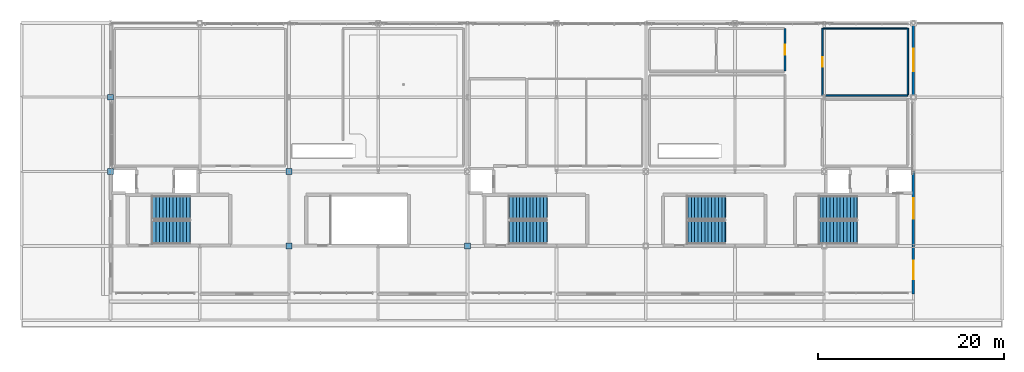
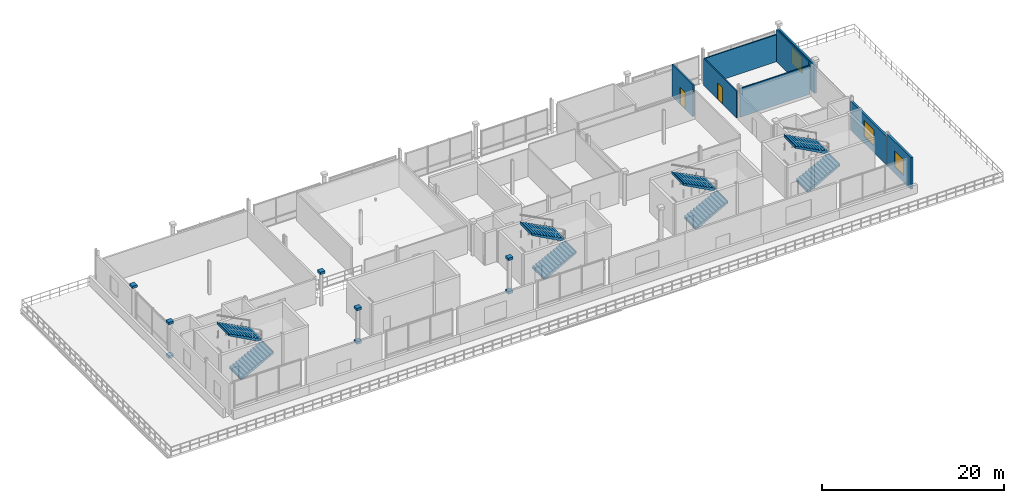
# One storey, part 18 of 26: 8 discrete accessories, 8 stair flights, 8 walls, 3 windows, 2 doors, 5 openings, 4 elements without a shape of their own.
"""IFC4 building model written with IfcOpenShell, lengths in metres."""

from ifc_helpers import new_model, si_unit, direction, frame, frame_2d, origin, origin_2d, place, context, subcontext, project, spatial, polyline, rectangle, outline, extrude, material, layer, layer_set, type_object, element, fill, aggregate, save


model = new_model("IFC4")

# Units and contexts
model_context = context("Model", 3, precision=1e-05, world=origin(), true_north=direction((0.0, 1.0)))
body_context = subcontext(model_context, "Body", "Model", "MODEL_VIEW")
ifc_project = project(units=[si_unit("LENGTHUNIT", "METRE"), si_unit("AREAUNIT", "SQUARE_METRE"), si_unit("VOLUMEUNIT", "CUBIC_METRE"), si_unit("PLANEANGLEUNIT", "RADIAN"), si_unit("MASSUNIT", "GRAM", prefix="KILO")], contexts=[model_context])

# Site, building, storey
site_placement = place(None, origin())
site = spatial("IfcSite", under=ifc_project, at=site_placement, CompositionType="ELEMENT")
building_placement = place(site_placement, origin())
building = spatial("IfcBuilding", under=site, at=building_placement, Name="Danafjord Basin Convention Centre", CompositionType="ELEMENT")
storey_placement = place(building_placement, frame((0.0, 0.0, 24.89990234375)))
storey = spatial("IfcBuildingStorey", under=building, at=storey_placement, Name="L05", CompositionType="ELEMENT", Elevation=24.89990234375)

# Wall, opening, window
ifc_material_1 = material(Name="Concrete C35/45", Category="concrete")
ifc_layer_1 = layer(ifc_material_1, 0.260009765625)
ifc_layer_set_1 = layer_set([ifc_layer_1], Name="Concrete C35/45")
wall_type_1 = type_object("IfcWallType", Name="WALL-EW-STD260", PredefinedType="STANDARD", material=ifc_layer_set_1)
wall_1_placement = place(storey_placement, frame((96.0, 10.800048828125, 0.0), z_axis=(0.0, 0.0, 1.0), x_axis=(0.0, 1.0, 0.0)))
wall_1 = element("IfcWall", 1, at=wall_1_placement, inside=storey, type_object=wall_type_1, Name="L05 E wing facade wall", PredefinedType="STANDARD", context=body_context, shape_type="SweptSolid", body=[
    extrude(rectangle(XDim=5.199951171875, YDim=0.260009765625, at=frame_2d((2.60009765625, 0.0))), origin(), (0.0, 0.0, 1.0), 4.260009765625),
])
opening_1_placement = place(wall_1_placement, frame((1.60009765625, 0.0, 0.89990234375)))
opening_1 = element("IfcOpeningElement", 2, at=opening_1_placement, cuts=wall_1, Name="Opening WN-05", PredefinedType="OPENING", context=body_context, shape_type="SweptSolid", body=[
    extrude(rectangle(XDim=2.0, YDim=2.10009765625, at=frame_2d((1.0, 1.050048828125))), frame((0.0, 0.139892578125, 0.0), z_axis=(0.0, -1.0, 0.0), x_axis=(1.0, 0.0, 0.0)), (0.0, 0.0, 1.0), 0.280029296875),
])
ifc_material_2 = material(Name="Thermally broken aluminium and triple low-E glass", Category="aluminium")
window_type_1 = type_object("IfcWindowType", Name="WIN-WN-05", PartitioningType="SINGLE_PANEL", PredefinedType="WINDOW", material=ifc_material_2)
window_1_placement = place(opening_1_placement, origin())
window_1 = element("IfcWindow", 3, at=window_1_placement, inside=storey, type_object=window_type_1, Name="L05 E window WN-05", OverallHeight=2.10009765625, OverallWidth=2.0, PartitioningType="SINGLE_PANEL", PredefinedType="WINDOW", context=body_context, shape_type="SweptSolid", body=[
    extrude(rectangle(XDim=2.0, YDim=2.10009765625, at=frame_2d((1.0, 1.050048828125))), frame((0.0, 0.030029296875, 0.0), z_axis=(0.0, -1.0, 0.0), x_axis=(1.0, 0.0, 0.0)), (0.0, 0.0, 1.0), 0.06005859375),
])
fill(opening_1, window_1)

wall_2_placement = place(storey_placement, frame((96.0, 16.0, 0.0), z_axis=(0.0, 0.0, 1.0), x_axis=(0.0, 1.0, 0.0)))
wall_2 = element("IfcWall", 4, at=wall_2_placement, inside=storey, type_object=wall_type_1, Name="L05 E wing facade wall", PredefinedType="STANDARD", context=body_context, shape_type="SweptSolid", body=[
    extrude(rectangle(XDim=8.0, YDim=0.260009765625, at=frame_2d((4.0, 0.0))), origin(), (0.0, 0.0, 1.0), 3.840087890625),
])
opening_2_placement = place(wall_2_placement, frame((2.89990234375, 0.0, 0.89990234375)))
opening_2 = element("IfcOpeningElement", 5, at=opening_2_placement, cuts=wall_2, Name="Opening WN-06", PredefinedType="OPENING", context=body_context, shape_type="SweptSolid", body=[
    extrude(rectangle(XDim=2.199951171875, YDim=2.14990234375, at=frame_2d((1.10009765625, 1.074951171875))), frame((0.0, 0.139892578125, 0.0), z_axis=(0.0, -1.0, 0.0), x_axis=(1.0, 0.0, 0.0)), (0.0, 0.0, 1.0), 0.280029296875),
])
window_type_2 = type_object("IfcWindowType", Name="WIN-WN-06", PartitioningType="SINGLE_PANEL", PredefinedType="WINDOW", material=ifc_material_2)
window_2_placement = place(opening_2_placement, origin())
window_2 = element("IfcWindow", 6, at=window_2_placement, inside=storey, type_object=window_type_2, Name="L05 E window WN-06", OverallHeight=2.14990234375, OverallWidth=2.199951171875, PartitioningType="SINGLE_PANEL", PredefinedType="WINDOW", context=body_context, shape_type="SweptSolid", body=[
    extrude(rectangle(XDim=2.199951171875, YDim=2.14990234375, at=frame_2d((1.10009765625, 1.074951171875))), frame((0.0, 0.030029296875, 0.0), z_axis=(0.0, -1.0, 0.0), x_axis=(1.0, 0.0, 0.0)), (0.0, 0.0, 1.0), 0.06005859375),
])
fill(opening_2, window_2)

wall_3_placement = place(storey_placement, frame((96.0, 32.0, 0.0), z_axis=(0.0, 0.0, 1.0), x_axis=(0.0, 1.0, 0.0)))
wall_3 = element("IfcWall", 7, at=wall_3_placement, inside=storey, type_object=wall_type_1, Name="L05 E wing facade wall", PredefinedType="STANDARD", context=body_context, shape_type="SweptSolid", body=[
    extrude(rectangle(XDim=8.0, YDim=0.260009765625, at=frame_2d((4.0, 0.0))), origin(), (0.0, 0.0, 1.0), 3.830078125),
])
opening_3_placement = place(wall_3_placement, frame((2.800048828125, 0.0, 0.89990234375)))
opening_3 = element("IfcOpeningElement", 8, at=opening_3_placement, cuts=wall_3, Name="Opening WN-07", PredefinedType="OPENING", context=body_context, shape_type="SweptSolid", body=[
    extrude(rectangle(XDim=2.39990234375, YDim=2.199951171875, at=frame_2d((1.199951171875, 1.10009765625))), frame((0.0, 0.139892578125, 0.0), z_axis=(0.0, -1.0, 0.0), x_axis=(1.0, 0.0, 0.0)), (0.0, 0.0, 1.0), 0.280029296875),
])
window_type_3 = type_object("IfcWindowType", Name="WIN-WN-07", PartitioningType="SINGLE_PANEL", PredefinedType="WINDOW", material=ifc_material_2)
window_3_placement = place(opening_3_placement, origin())
window_3 = element("IfcWindow", 9, at=window_3_placement, inside=storey, type_object=window_type_3, Name="L05 E window WN-07", OverallHeight=2.199951171875, OverallWidth=2.39990234375, PartitioningType="SINGLE_PANEL", PredefinedType="WINDOW", context=body_context, shape_type="SweptSolid", body=[
    extrude(rectangle(XDim=2.39990234375, YDim=2.199951171875, at=frame_2d((1.199951171875, 1.10009765625))), frame((0.0, 0.030029296875, 0.0), z_axis=(0.0, -1.0, 0.0), x_axis=(1.0, 0.0, 0.0)), (0.0, 0.0, 1.0), 0.06005859375),
])
fill(opening_3, window_3)

# Wall, opening, door
ifc_material_3 = material(Name="Fire-rated gypsum metal-stud partition")
ifc_layer_2 = layer(ifc_material_3, 0.14990234375)
ifc_layer_set_2 = layer_set([ifc_layer_2], Name="Fire-rated gypsum metal-stud partition")
wall_type_2 = type_object("IfcWallType", Name="WALL-PT-ST150", PredefinedType="PARTITIONING", material=ifc_layer_set_2)
wall_4_placement = place(storey_placement, frame((86.199951171875, 39.39990234375, 0.0), z_axis=(0.0, 0.0, 1.0), x_axis=(0.0, -1.0, 0.0)))
wall_4 = element("IfcWall", 10, at=wall_4_placement, inside=storey, type_object=wall_type_2, Name="Presidency Press and Organiser Office west partition", PredefinedType="PARTITIONING", context=body_context, shape_type="SweptSolid", body=[
    extrude(rectangle(XDim=7.199951171875, YDim=0.14990234375, at=frame_2d((3.60009765625, 0.0))), origin(), (0.0, 0.0, 1.0), 3.630126953125),
])
opening_4_placement = place(wall_4_placement, frame((3.080078125, 0.0, 0.0)))
opening_4 = element("IfcOpeningElement", 11, at=opening_4_placement, cuts=wall_4, Name="Opening FD-S13", PredefinedType="OPENING", context=body_context, shape_type="SweptSolid", body=[
    extrude(rectangle(XDim=1.0400390625, YDim=2.239990234375, at=frame_2d((0.52001953125, 1.1201171875))), frame((0.0, 0.0849609375, 0.0), z_axis=(0.0, -1.0, 0.0), x_axis=(1.0, 0.0, 0.0)), (0.0, 0.0, 1.0), 0.169921875),
])
ifc_material_4 = material(Name="Powder-coated steel and Nordic oak", Category="steel")
door_type_1 = type_object("IfcDoorType", Name="DOOR-FD-S13", OperationType="NOTDEFINED", PredefinedType="DOOR", material=ifc_material_4)
door_1_placement = place(opening_4_placement, origin())
door_1 = element("IfcDoor", 12, at=door_1_placement, inside=storey, type_object=door_type_1, Name="Presidency Press and Organiser Office Entrance Door", OperationType="SINGLE_SWING_RIGHT", OverallHeight=2.239990234375, OverallWidth=1.0400390625, PredefinedType="DOOR", context=body_context, shape_type="SweptSolid", body=[
    extrude(rectangle(XDim=1.0400390625, YDim=2.239990234375, at=frame_2d((0.52001953125, 1.1201171875))), frame((0.0, 0.02490234375, 0.0), z_axis=(0.0, -1.0, 0.0), x_axis=(1.0, 0.0, 0.0)), (0.0, 0.0, 1.0), 0.050048828125),
])
fill(opening_4, door_1)

# Walls
wall_5_placement = place(storey_placement, frame((86.55908203125, 32.199951171875, 0.0), z_axis=(0.0, 0.0, 1.0), x_axis=(1.0, 0.0, 0.0)))
element("IfcWall", 13, at=wall_5_placement, inside=storey, type_object=wall_type_2, Name="Presidency Press and Organiser Office south partition", PredefinedType="PARTITIONING", context=body_context, shape_type="SweptSolid", body=[
    extrude(rectangle(XDim=8.8408203125, YDim=0.14990234375, at=frame_2d((4.42041015625, 0.0))), origin(), (0.0, 0.0, 1.0), 3.840087890625),
])
wall_6_placement = place(storey_placement, frame((95.39990234375, 32.279052734375, 0.0), z_axis=(0.0, 0.0, 1.0), x_axis=(0.0, 1.0, 0.0)))
element("IfcWall", 14, at=wall_6_placement, inside=storey, type_object=wall_type_2, Name="Presidency Press and Organiser Office east partition", PredefinedType="PARTITIONING", context=body_context, shape_type="SweptSolid", body=[
    extrude(rectangle(XDim=7.120849609375, YDim=0.14990234375, at=frame_2d((3.560546875, 0.0))), origin(), (0.0, 0.0, 1.0), 4.260009765625),
])
wall_7_placement = place(storey_placement, frame((95.321044921875, 39.39990234375, 0.0), z_axis=(0.0, 0.0, 1.0), x_axis=(-1.0, 0.0, 0.0)))
element("IfcWall", 15, at=wall_7_placement, inside=storey, type_object=wall_type_2, Name="Presidency Press and Organiser Office north partition", PredefinedType="PARTITIONING", context=body_context, shape_type="SweptSolid", body=[
    extrude(rectangle(XDim=9.0419921875, YDim=0.14990234375, at=frame_2d((4.52099609375, 0.0))), origin(), (0.0, 0.0, 1.0), 3.630126953125),
])

# Wall, opening, door
ifc_layer_3 = layer(ifc_material_1, 0.205078125)
ifc_layer_set_3 = layer_set([ifc_layer_3], Name="Concrete C35/45")
wall_type_3 = type_object("IfcWallType", Name="WALL-W-COMP205", PredefinedType="SOLIDWALL", material=ifc_layer_set_3)
wall_8_placement = place(storey_placement, frame((82.199951171875, 34.800048828125, 0.0), z_axis=(0.0, 0.0, 1.0), x_axis=(0.0, 1.0, 0.0)))
wall_8 = element("IfcWall", 16, at=wall_8_placement, inside=storey, type_object=wall_type_3, Name="Level 5 Heat-Recovery AHU Plant east partition", PredefinedType="SOLIDWALL", context=body_context, shape_type="SweptSolid", body=[
    extrude(rectangle(XDim=4.599853515625, YDim=0.205078125, at=frame_2d((2.2998046875, 0.0))), origin(), (0.0, 0.0, 1.0), 4.260009765625),
])
opening_5_placement = place(wall_8_placement, frame((1.75, 0.0, 0.0)))
opening_5 = element("IfcOpeningElement", 17, at=opening_5_placement, cuts=wall_8, Name="Opening FD-S15", PredefinedType="OPENING", context=body_context, shape_type="SweptSolid", body=[
    extrude(rectangle(XDim=1.10009765625, YDim=2.280029296875, at=frame_2d((0.550048828125, 1.14013671875))), frame((0.0, 0.112548828125, 0.0), z_axis=(0.0, -1.0, 0.0), x_axis=(1.0, 0.0, 0.0)), (0.0, 0.0, 1.0), 0.22509765625),
])
door_type_2 = type_object("IfcDoorType", Name="DOOR-FD-S15", OperationType="NOTDEFINED", PredefinedType="DOOR", material=ifc_material_4)
door_2_placement = place(opening_5_placement, origin())
door_2 = element("IfcDoor", 18, at=door_2_placement, inside=storey, type_object=door_type_2, Name="Level 5 Heat-Recovery AHU Plant Entrance Door", OperationType="SINGLE_SWING_RIGHT", OverallHeight=2.280029296875, OverallWidth=1.10009765625, PredefinedType="DOOR", context=body_context, shape_type="SweptSolid", body=[
    extrude(rectangle(XDim=1.10009765625, YDim=2.280029296875, at=frame_2d((0.550048828125, 1.14013671875))), frame((0.0, 0.02490234375, 0.0), z_axis=(0.0, -1.0, 0.0), x_axis=(1.0, 0.0, 0.0)), (0.0, 0.0, 1.0), 0.050048828125),
])
fill(opening_5, door_2)

# Stair, stair flights
ifc_material_5 = material(Name="Concrete C40/50", Category="concrete")
stair_type = type_object("IfcStairType", Name="STAIR-STR-C01", PredefinedType="TWO_STRAIGHT_RUN_STAIR", material=ifc_material_5)
stair_1_placement = place(storey_placement, origin())
stair_1 = element("IfcStair", 19, at=stair_1_placement, inside=storey, type_object=stair_type, Name="L05 West Harbour Core Stair 1", PredefinedType="HALF_TURN_STAIR")
ifc_material_6 = material(Name="Precast concrete C40/50", Category="concrete")
stair_flight_type = type_object("IfcStairFlightType", Name="SFLT-STD", PredefinedType="STRAIGHT", material=ifc_material_6)
stair_flight_1_placement = place(storey_placement, frame((14.1298828125, 17.4599609375, 0.0), z_axis=(0.0, 0.0, 1.0), x_axis=(1.0, 0.0, 0.0)))
stair_flight_1 = element("IfcStairFlight", 20, at=stair_flight_1_placement, type_object=stair_flight_type, Name="ST-01 flight 1", NumberOfRisers=12, NumberOfTreads=11, PredefinedType="STRAIGHT", RiserHeight=0.1875, TreadLength=0.365, context=body_context, shape_type="SweptSolid", body=[
    extrude(outline(polyline([(-0.06494140625, -0.14990234375), (-0.06494140625, -0.00390625), (0.0, -0.00390625), (0.0, 0.1875), (0.364990234375, 0.1875), (0.364990234375, 0.375), (0.72998046875, 0.375), (0.72998046875, 0.5625), (1.094970703125, 0.5625), (1.094970703125, 0.75), (1.4599609375, 0.75), (1.4599609375, 0.9375), (1.824951171875, 0.9375), (1.824951171875, 1.125), (2.18994140625, 1.125), (2.18994140625, 1.3125), (2.554931640625, 1.3125), (2.554931640625, 1.5), (2.919921875, 1.5), (2.919921875, 1.6875), (3.284912109375, 1.6875), (3.284912109375, 1.875), (3.64990234375, 1.875), (3.64990234375, 2.0625), (4.014892578125, 2.0625), (4.014892578125, 2.25), (4.080078125, 2.24609375), (4.080078125, 1.89404296875), (0.328125, -0.14990234375), (-0.06494140625, -0.14990234375)])), frame((0.0, 1.25, 0.0), z_axis=(0.0, -1.0, 0.0), x_axis=(1.0, 0.0, 0.0)), (0.0, 0.0, 1.0), 2.5),
])
stair_flight_2_placement = place(storey_placement, frame((18.14501953125, 20.10009765625, 2.25), z_axis=(0.0, 0.0, 1.0), x_axis=(-1.0, 0.0, 0.0)))
stair_flight_2 = element("IfcStairFlight", 21, at=stair_flight_2_placement, type_object=stair_flight_type, Name="ST-01 flight 2", NumberOfRisers=12, NumberOfTreads=11, PredefinedType="STRAIGHT", RiserHeight=0.1875, TreadLength=0.365, context=body_context, shape_type="SweptSolid", body=[
    extrude(outline(polyline([(-0.06494140625, -0.14990234375), (-0.06494140625, -0.00390625), (0.0, -0.00390625), (0.0, 0.1875), (0.364990234375, 0.1875), (0.364990234375, 0.375), (0.72998046875, 0.375), (0.72998046875, 0.5625), (1.094970703125, 0.5625), (1.094970703125, 0.75), (1.4599609375, 0.75), (1.4599609375, 0.9375), (1.824951171875, 0.9375), (1.824951171875, 1.125), (2.18994140625, 1.125), (2.18994140625, 1.3125), (2.554931640625, 1.3125), (2.554931640625, 1.5), (2.919921875, 1.5), (2.919921875, 1.6875), (3.284912109375, 1.6875), (3.284912109375, 1.875), (3.64990234375, 1.875), (3.64990234375, 2.0625), (4.014892578125, 2.0625), (4.014892578125, 2.25), (4.080078125, 2.24609375), (4.080078125, 1.89404296875), (0.328125, -0.14990234375), (-0.06494140625, -0.14990234375)])), frame((0.0, 1.25, 0.0), z_axis=(0.0, -1.0, 0.0), x_axis=(1.0, 0.0, 0.0)), (0.0, 0.0, 1.0), 2.5),
])
aggregate(stair_1, [stair_flight_1, stair_flight_2])

stair_2_placement = place(storey_placement, origin())
stair_2 = element("IfcStair", 22, at=stair_2_placement, inside=storey, type_object=stair_type, Name="L05 Central Harbour Core Stair 1", PredefinedType="HALF_TURN_STAIR")
stair_flight_3_placement = place(storey_placement, frame((85.929931640625, 17.4599609375, 0.0), z_axis=(0.0, 0.0, 1.0), x_axis=(1.0, 0.0, 0.0)))
stair_flight_3 = element("IfcStairFlight", 23, at=stair_flight_3_placement, type_object=stair_flight_type, Name="ST-03 flight 1", NumberOfRisers=12, NumberOfTreads=11, PredefinedType="STRAIGHT", RiserHeight=0.1875, TreadLength=0.365, context=body_context, shape_type="SweptSolid", body=[
    extrude(outline(polyline([(-0.06494140625, -0.14990234375), (-0.06494140625, -0.00390625), (0.0, -0.00390625), (0.0, 0.1875), (0.364990234375, 0.1875), (0.364990234375, 0.375), (0.72998046875, 0.375), (0.72998046875, 0.5625), (1.094970703125, 0.5625), (1.094970703125, 0.75), (1.4599609375, 0.75), (1.4599609375, 0.9375), (1.824951171875, 0.9375), (1.824951171875, 1.125), (2.18994140625, 1.125), (2.18994140625, 1.3125), (2.554931640625, 1.3125), (2.554931640625, 1.5), (2.919921875, 1.5), (2.919921875, 1.6875), (3.284912109375, 1.6875), (3.284912109375, 1.875), (3.64990234375, 1.875), (3.64990234375, 2.0625), (4.014892578125, 2.0625), (4.014892578125, 2.25), (4.080078125, 2.24609375), (4.080078125, 1.89404296875), (0.328125, -0.14990234375), (-0.06494140625, -0.14990234375)])), frame((0.0, 1.25, 0.0), z_axis=(0.0, -1.0, 0.0), x_axis=(1.0, 0.0, 0.0)), (0.0, 0.0, 1.0), 2.5),
])
stair_flight_4_placement = place(storey_placement, frame((89.945068359375, 20.10009765625, 2.25), z_axis=(0.0, 0.0, 1.0), x_axis=(-1.0, 0.0, 0.0)))
stair_flight_4 = element("IfcStairFlight", 24, at=stair_flight_4_placement, type_object=stair_flight_type, Name="ST-03 flight 2", NumberOfRisers=12, NumberOfTreads=11, PredefinedType="STRAIGHT", RiserHeight=0.1875, TreadLength=0.365, context=body_context, shape_type="SweptSolid", body=[
    extrude(outline(polyline([(-0.06494140625, -0.14990234375), (-0.06494140625, -0.00390625), (0.0, -0.00390625), (0.0, 0.1875), (0.364990234375, 0.1875), (0.364990234375, 0.375), (0.72998046875, 0.375), (0.72998046875, 0.5625), (1.094970703125, 0.5625), (1.094970703125, 0.75), (1.4599609375, 0.75), (1.4599609375, 0.9375), (1.824951171875, 0.9375), (1.824951171875, 1.125), (2.18994140625, 1.125), (2.18994140625, 1.3125), (2.554931640625, 1.3125), (2.554931640625, 1.5), (2.919921875, 1.5), (2.919921875, 1.6875), (3.284912109375, 1.6875), (3.284912109375, 1.875), (3.64990234375, 1.875), (3.64990234375, 2.0625), (4.014892578125, 2.0625), (4.014892578125, 2.25), (4.080078125, 2.24609375), (4.080078125, 1.89404296875), (0.328125, -0.14990234375), (-0.06494140625, -0.14990234375)])), frame((0.0, 1.25, 0.0), z_axis=(0.0, -1.0, 0.0), x_axis=(1.0, 0.0, 0.0)), (0.0, 0.0, 1.0), 2.5),
])
aggregate(stair_2, [stair_flight_3, stair_flight_4])

stair_3_placement = place(storey_placement, origin())
stair_3 = element("IfcStair", 25, at=stair_3_placement, inside=storey, type_object=stair_type, Name="L05 Mid-Arc Meeting Core Stair 1", PredefinedType="HALF_TURN_STAIR")
stair_flight_5_placement = place(storey_placement, frame((52.530029296875, 17.4599609375, 0.0), z_axis=(0.0, 0.0, 1.0), x_axis=(1.0, 0.0, 0.0)))
stair_flight_5 = element("IfcStairFlight", 26, at=stair_flight_5_placement, type_object=stair_flight_type, Name="ST-05 flight 1", NumberOfRisers=12, NumberOfTreads=11, PredefinedType="STRAIGHT", RiserHeight=0.1875, TreadLength=0.365, context=body_context, shape_type="SweptSolid", body=[
    extrude(outline(polyline([(-0.06494140625, -0.14990234375), (-0.06494140625, -0.00390625), (0.0, -0.00390625), (0.0, 0.1875), (0.364990234375, 0.1875), (0.364990234375, 0.375), (0.72998046875, 0.375), (0.72998046875, 0.5625), (1.094970703125, 0.5625), (1.094970703125, 0.75), (1.4599609375, 0.75), (1.4599609375, 0.9375), (1.824951171875, 0.9375), (1.824951171875, 1.125), (2.18994140625, 1.125), (2.18994140625, 1.3125), (2.554931640625, 1.3125), (2.554931640625, 1.5), (2.919921875, 1.5), (2.919921875, 1.6875), (3.284912109375, 1.6875), (3.284912109375, 1.875), (3.64990234375, 1.875), (3.64990234375, 2.0625), (4.014892578125, 2.0625), (4.014892578125, 2.25), (4.080078125, 2.24609375), (4.080078125, 1.89404296875), (0.328125, -0.14990234375), (-0.06494140625, -0.14990234375)])), frame((0.0, 1.25, 0.0), z_axis=(0.0, -1.0, 0.0), x_axis=(1.0, 0.0, 0.0)), (0.0, 0.0, 1.0), 2.5),
])
stair_flight_6_placement = place(storey_placement, frame((56.544921875, 20.10009765625, 2.25), z_axis=(0.0, 0.0, 1.0), x_axis=(-1.0, 0.0, 0.0)))
stair_flight_6 = element("IfcStairFlight", 27, at=stair_flight_6_placement, type_object=stair_flight_type, Name="ST-05 flight 2", NumberOfRisers=12, NumberOfTreads=11, PredefinedType="STRAIGHT", RiserHeight=0.1875, TreadLength=0.365, context=body_context, shape_type="SweptSolid", body=[
    extrude(outline(polyline([(-0.06494140625, -0.14990234375), (-0.06494140625, -0.00390625), (0.0, -0.00390625), (0.0, 0.1875), (0.364990234375, 0.1875), (0.364990234375, 0.375), (0.72998046875, 0.375), (0.72998046875, 0.5625), (1.094970703125, 0.5625), (1.094970703125, 0.75), (1.4599609375, 0.75), (1.4599609375, 0.9375), (1.824951171875, 0.9375), (1.824951171875, 1.125), (2.18994140625, 1.125), (2.18994140625, 1.3125), (2.554931640625, 1.3125), (2.554931640625, 1.5), (2.919921875, 1.5), (2.919921875, 1.6875), (3.284912109375, 1.6875), (3.284912109375, 1.875), (3.64990234375, 1.875), (3.64990234375, 2.0625), (4.014892578125, 2.0625), (4.014892578125, 2.25), (4.080078125, 2.24609375), (4.080078125, 1.89404296875), (0.328125, -0.14990234375), (-0.06494140625, -0.14990234375)])), frame((0.0, 1.25, 0.0), z_axis=(0.0, -1.0, 0.0), x_axis=(1.0, 0.0, 0.0)), (0.0, 0.0, 1.0), 2.5),
])
aggregate(stair_3, [stair_flight_5, stair_flight_6])

stair_4_placement = place(storey_placement, origin())
stair_4 = element("IfcStair", 28, at=stair_4_placement, inside=storey, type_object=stair_type, Name="L05 Mid-Arc Escape Stair 2", PredefinedType="HALF_TURN_STAIR")
stair_flight_7_placement = place(storey_placement, frame((71.72998046875, 17.4599609375, 0.0), z_axis=(0.0, 0.0, 1.0), x_axis=(1.0, 0.0, 0.0)))
stair_flight_7 = element("IfcStairFlight", 29, at=stair_flight_7_placement, type_object=stair_flight_type, Name="ST-06 flight 1", NumberOfRisers=12, NumberOfTreads=11, PredefinedType="STRAIGHT", RiserHeight=0.1875, TreadLength=0.365, context=body_context, shape_type="SweptSolid", body=[
    extrude(outline(polyline([(-0.06494140625, -0.14990234375), (-0.06494140625, -0.00390625), (0.0, -0.00390625), (0.0, 0.1875), (0.364990234375, 0.1875), (0.364990234375, 0.375), (0.72998046875, 0.375), (0.72998046875, 0.5625), (1.094970703125, 0.5625), (1.094970703125, 0.75), (1.4599609375, 0.75), (1.4599609375, 0.9375), (1.824951171875, 0.9375), (1.824951171875, 1.125), (2.18994140625, 1.125), (2.18994140625, 1.3125), (2.554931640625, 1.3125), (2.554931640625, 1.5), (2.919921875, 1.5), (2.919921875, 1.6875), (3.284912109375, 1.6875), (3.284912109375, 1.875), (3.64990234375, 1.875), (3.64990234375, 2.0625), (4.014892578125, 2.0625), (4.014892578125, 2.25), (4.080078125, 2.24609375), (4.080078125, 1.89404296875), (0.328125, -0.14990234375), (-0.06494140625, -0.14990234375)])), frame((0.0, 1.25, 0.0), z_axis=(0.0, -1.0, 0.0), x_axis=(1.0, 0.0, 0.0)), (0.0, 0.0, 1.0), 2.5),
])
stair_flight_8_placement = place(storey_placement, frame((75.7451171875, 20.10009765625, 2.25), z_axis=(0.0, 0.0, 1.0), x_axis=(-1.0, 0.0, 0.0)))
stair_flight_8 = element("IfcStairFlight", 30, at=stair_flight_8_placement, type_object=stair_flight_type, Name="ST-06 flight 2", NumberOfRisers=12, NumberOfTreads=11, PredefinedType="STRAIGHT", RiserHeight=0.1875, TreadLength=0.365, context=body_context, shape_type="SweptSolid", body=[
    extrude(outline(polyline([(-0.06494140625, -0.14990234375), (-0.06494140625, -0.00390625), (0.0, -0.00390625), (0.0, 0.1875), (0.364990234375, 0.1875), (0.364990234375, 0.375), (0.72998046875, 0.375), (0.72998046875, 0.5625), (1.094970703125, 0.5625), (1.094970703125, 0.75), (1.4599609375, 0.75), (1.4599609375, 0.9375), (1.824951171875, 0.9375), (1.824951171875, 1.125), (2.18994140625, 1.125), (2.18994140625, 1.3125), (2.554931640625, 1.3125), (2.554931640625, 1.5), (2.919921875, 1.5), (2.919921875, 1.6875), (3.284912109375, 1.6875), (3.284912109375, 1.875), (3.64990234375, 1.875), (3.64990234375, 2.0625), (4.014892578125, 2.0625), (4.014892578125, 2.25), (4.080078125, 2.24609375), (4.080078125, 1.89404296875), (0.328125, -0.14990234375), (-0.06494140625, -0.14990234375)])), frame((0.0, 1.25, 0.0), z_axis=(0.0, -1.0, 0.0), x_axis=(1.0, 0.0, 0.0)), (0.0, 0.0, 1.0), 2.5),
])
aggregate(stair_4, [stair_flight_7, stair_flight_8])

# Discrete accessories
ifc_material_7 = material(Name="Steel S355", Category="steel")
discrete_accessory_type = type_object("IfcDiscreteAccessoryType", Name="ACC-SF-HUB", PredefinedType="BRACKET", material=ifc_material_7)
for number, where, z_axis, x_axis, name in (
    (31, (9.60009765625, 24.0, -0.16015625), (0.0, 0.0, 1.0), (1.0, 0.0, 0.0), "Tubular steel column transition collar"),
    (32, (9.60009765625, 24.0, 4.33984375), (0.0, 0.0, 1.0), (1.0, 0.0, 0.0), "Tubular steel column top cap plate"),
    (33, (9.60009765625, 32.0, 4.33984375), (0.0, 0.0, 1.0), (1.0, 0.0, 0.0), "Tubular steel column top cap plate"),
    (34, (28.800048828125, 16.0, -0.16015625), (0.0, 0.0, 1.0), (1.0, 0.0, 0.0), "Tubular steel column transition collar"),
    (35, (28.800048828125, 16.0, 4.33984375), (0.0, 0.0, 1.0), (1.0, 0.0, 0.0), "Tubular steel column top cap plate"),
    (36, (28.800048828125, 24.0, 4.33984375), (0.0, 0.0, 1.0), (1.0, 0.0, 0.0), "Tubular steel column top cap plate"),
    (37, (48.0, 16.0, -0.16015625), (0.0, 0.0, 1.0), (1.0, 0.0, 0.0), "Tubular steel column transition collar"),
    (38, (48.0, 16.0, 4.33984375), (0.0, 0.0, 1.0), (1.0, 0.0, 0.0), "Tubular steel column top cap plate"),
):
    element("IfcDiscreteAccessory", number, at=place(storey_placement, frame(where, z_axis=z_axis, x_axis=x_axis)), inside=storey, type_object=discrete_accessory_type, Name=name, PredefinedType="BRACKET", context=body_context, shape_type="SweptSolid", body=[
        extrude(rectangle(XDim=0.6201171875, YDim=0.6201171875, at=origin_2d()), origin(), (0.0, 0.0, 1.0), 0.320068359375),
    ])

save(model, "model.ifc")
